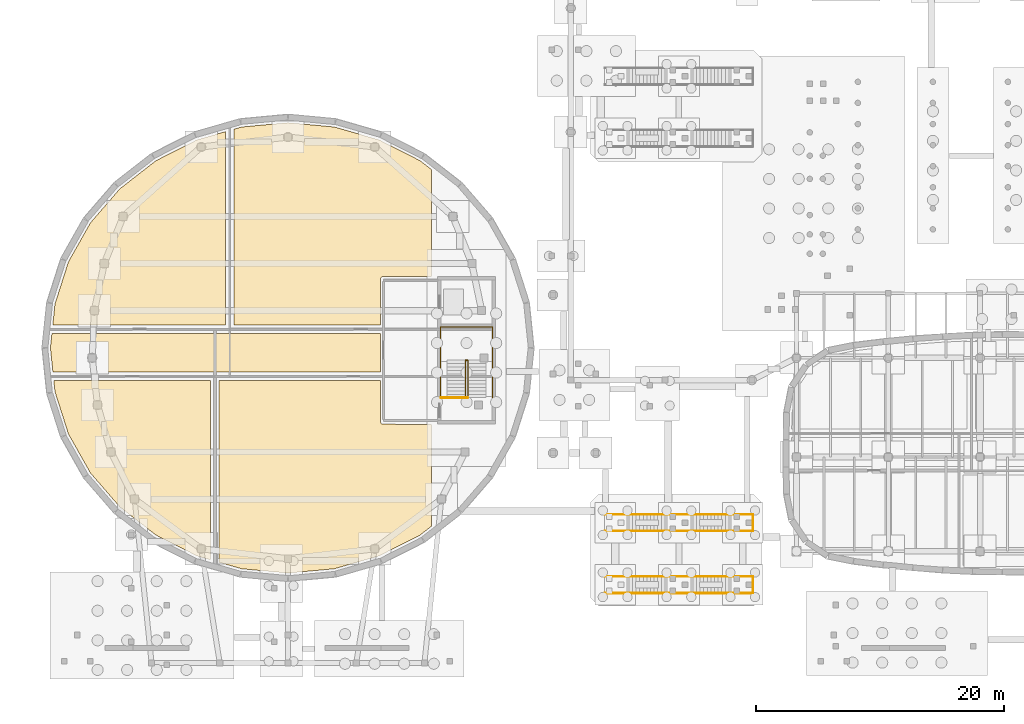
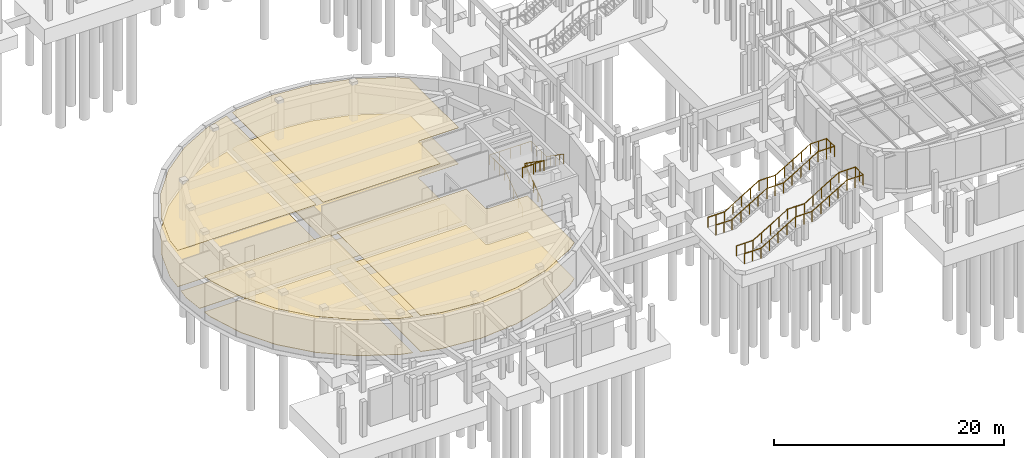
# One storey, part 41 of 45: 9 coverings, 9 railings.
"""IFC4 building model written with IfcOpenShell, lengths in metres."""

from ifc_helpers import new_model, si_unit, direction, frame, origin, origin_2d, place, context, subcontext, project, spatial, polyline, circle, outline, extrude, material, layer, layer_set, type_object, element, save


model = new_model("IFC4")

# Units and contexts
model_context = context("Model", 3, precision=1e-05, world=origin(), true_north=direction((0.0, 1.0)))
body_context = subcontext(model_context, "Body", "Model", "MODEL_VIEW")
ifc_project = project(units=[si_unit("LENGTHUNIT", "METRE"), si_unit("AREAUNIT", "SQUARE_METRE"), si_unit("VOLUMEUNIT", "CUBIC_METRE"), si_unit("PLANEANGLEUNIT", "RADIAN"), si_unit("MASSUNIT", "GRAM", prefix="KILO")], contexts=[model_context])

# Site, building, storey
site_placement = place(None, origin())
site = spatial("IfcSite", under=ifc_project, at=site_placement, CompositionType="ELEMENT")
building_placement = place(site_placement, origin())
building = spatial("IfcBuilding", under=site, at=building_placement, Name="Corveleigh Park Community Centre", CompositionType="ELEMENT")
storey_placement = place(building_placement, frame((0.0, 0.0, -4.199951171875)))
storey = spatial("IfcBuildingStorey", under=building, at=storey_placement, Name="B1", CompositionType="ELEMENT", Elevation=-4.199951171875)

# Coverings
ifc_material_1 = material(Name="Perforated acoustic suspended ceiling", Category="gypsum")
ifc_layer_1 = layer(ifc_material_1, 0.0400390625, Name="Perforated acoustic suspended ceiling", Category="gypsum")
ifc_layer_set_1 = layer_set([ifc_layer_1], Name="Perforated acoustic suspended ceiling")
covering_type_1 = type_object("IfcCoveringType", Name="COV-CLG-ACU", PredefinedType="CEILING", material=ifc_layer_set_1)
covering_1_placement = place(storey_placement, frame((0.0, 0.0, 3.8349609375)))
element("IfcCovering", 1, at=covering_1_placement, inside=storey, type_object=covering_type_1, Name="Music Recording Studio 1 acoustic ceiling", PredefinedType="CEILING", context=body_context, shape_type="SweptSolid", body=[
    extrude(outline(polyline([(15.06494140625, 17.52001953125), (13.297119140625, 20.658935546875), (12.2099609375, 24.06201171875), (12.116943359375, 24.9599609375), (24.760009765625, 24.9599609375), (24.760009765625, 10.510986328125), (23.660888671875, 10.826904296875), (20.347900390625, 12.508056640625), (17.445068359375, 14.76904296875), (15.06494140625, 17.52001953125)])), origin(), (0.0, 0.0, 1.0), 0.0400390625),
])
covering_2_placement = place(storey_placement, frame((0.0, 0.0, 3.8349609375)))
element("IfcCovering", 2, at=covering_2_placement, inside=storey, type_object=covering_type_1, Name="Ensemble Rehearsal Studio acoustic ceiling", PredefinedType="CEILING", context=body_context, shape_type="SweptSolid", body=[
    extrude(outline(polyline([(38.597900390625, 21.447998046875), (42.56005859375, 21.429931640625), (42.56005859375, 13.215087890625), (41.652099609375, 12.508056640625), (38.339111328125, 10.826904296875), (34.741943359375, 9.791015625), (31.0, 9.44189453125), (27.258056640625, 9.791015625), (25.43994140625, 10.31494140625), (25.43994140625, 24.9599609375), (38.449951171875, 24.9599609375), (38.449951171875, 21.669921875), (38.489990234375, 21.537109375), (38.597900390625, 21.447998046875)])), origin(), (0.0, 0.0, 1.0), 0.0400390625),
])
covering_3_placement = place(storey_placement, frame((0.0, 0.0, 3.8349609375)))
element("IfcCovering", 3, at=covering_3_placement, inside=storey, type_object=covering_type_1, Name="Community Makerspace Workshop acoustic ceiling", PredefinedType="CEILING", context=body_context, shape_type="SweptSolid", body=[
    extrude(outline(polyline([(17.445068359375, 40.430908203125), (20.347900390625, 42.69189453125), (23.660888671875, 44.373046875), (25.9599609375, 45.034912109375), (25.9599609375, 29.43994140625), (12.033935546875, 29.43994140625), (12.2099609375, 31.137939453125), (13.297119140625, 34.541015625), (15.06494140625, 37.679931640625), (17.445068359375, 40.430908203125)])), origin(), (0.0, 0.0, 1.0), 0.0400390625),
])
covering_4_placement = place(storey_placement, frame((0.0, 0.0, 3.8349609375)))
element("IfcCovering", 4, at=covering_4_placement, inside=storey, type_object=covering_type_1, Name="Digital Media Editing Classroom acoustic ceiling", PredefinedType="CEILING", context=body_context, shape_type="SweptSolid", body=[
    extrude(outline(polyline([(38.597900390625, 33.35205078125), (38.489990234375, 33.262939453125), (38.449951171875, 33.1298828125), (38.449951171875, 29.43994140625), (26.639892578125, 29.43994140625), (26.639892578125, 45.23095703125), (27.258056640625, 45.408935546875), (31.0, 45.758056640625), (34.741943359375, 45.408935546875), (38.339111328125, 44.373046875), (41.652099609375, 42.69189453125), (42.56005859375, 41.985107421875), (42.56005859375, 33.3701171875), (38.597900390625, 33.35205078125)])), origin(), (0.0, 0.0, 1.0), 0.0400390625),
])
ifc_material_2 = material(Name="Acoustic linoleum flooring", Category="wood")
ifc_layer_2 = layer(ifc_material_2, 0.02490234375, Name="Acoustic linoleum flooring", Category="wood")
ifc_layer_set_2 = layer_set([ifc_layer_2], Name="Acoustic linoleum flooring")
covering_type_2 = type_object("IfcCoveringType", Name="COV-FLR-LIN", PredefinedType="FLOORING", material=ifc_layer_set_2)
covering_5_placement = place(storey_placement, origin())
element("IfcCovering", 5, at=covering_5_placement, inside=storey, type_object=covering_type_2, Name="Basement Studio Corridor West flooring", PredefinedType="FLOORING", context=body_context, shape_type="SweptSolid", body=[
    extrude(outline(polyline([(38.449951171875, 28.760009765625), (38.449951171875, 25.639892578125), (12.0458984375, 25.639892578125), (11.842041015625, 27.60009765625), (11.962890625, 28.760009765625), (38.449951171875, 28.760009765625)])), origin(), (0.0, 0.0, 1.0), 0.02490234375),
])
covering_6_placement = place(storey_placement, origin())
element("IfcCovering", 6, at=covering_6_placement, inside=storey, type_object=covering_type_2, Name="Community Makerspace Workshop flooring", PredefinedType="FLOORING", context=body_context, shape_type="SweptSolid", body=[
    extrude(outline(polyline([(17.445068359375, 40.430908203125), (20.347900390625, 42.69189453125), (23.660888671875, 44.373046875), (25.9599609375, 45.034912109375), (25.9599609375, 29.43994140625), (12.033935546875, 29.43994140625), (12.2099609375, 31.137939453125), (13.297119140625, 34.541015625), (15.06494140625, 37.679931640625), (17.445068359375, 40.430908203125)])), origin(), (0.0, 0.0, 1.0), 0.02490234375),
])
covering_7_placement = place(storey_placement, origin())
element("IfcCovering", 7, at=covering_7_placement, inside=storey, type_object=covering_type_2, Name="Digital Media Editing Classroom flooring", PredefinedType="FLOORING", context=body_context, shape_type="SweptSolid", body=[
    extrude(outline(polyline([(38.597900390625, 33.35205078125), (38.489990234375, 33.262939453125), (38.449951171875, 33.1298828125), (38.449951171875, 29.43994140625), (26.639892578125, 29.43994140625), (26.639892578125, 45.23095703125), (27.258056640625, 45.408935546875), (31.0, 45.758056640625), (34.741943359375, 45.408935546875), (38.339111328125, 44.373046875), (41.652099609375, 42.69189453125), (42.56005859375, 41.985107421875), (42.56005859375, 33.3701171875), (38.597900390625, 33.35205078125)])), origin(), (0.0, 0.0, 1.0), 0.02490234375),
])
ifc_material_3 = material(Name="Sprung hardwood sports flooring", Category="wood")
ifc_layer_3 = layer(ifc_material_3, 0.044921875, Name="Sprung hardwood sports flooring", Category="wood")
ifc_layer_set_3 = layer_set([ifc_layer_3], Name="Sprung hardwood sports flooring")
covering_type_3 = type_object("IfcCoveringType", Name="COV-FLR-SPR", PredefinedType="FLOORING", material=ifc_layer_set_3)
covering_8_placement = place(storey_placement, origin())
element("IfcCovering", 8, at=covering_8_placement, inside=storey, type_object=covering_type_3, Name="Music Recording Studio 1 flooring", PredefinedType="FLOORING", context=body_context, shape_type="SweptSolid", body=[
    extrude(outline(polyline([(15.06494140625, 17.52001953125), (13.297119140625, 20.658935546875), (12.2099609375, 24.06201171875), (12.116943359375, 24.9599609375), (24.760009765625, 24.9599609375), (24.760009765625, 10.510986328125), (23.660888671875, 10.826904296875), (20.347900390625, 12.508056640625), (17.445068359375, 14.76904296875), (15.06494140625, 17.52001953125)])), origin(), (0.0, 0.0, 1.0), 0.044921875),
])
covering_9_placement = place(storey_placement, origin())
element("IfcCovering", 9, at=covering_9_placement, inside=storey, type_object=covering_type_3, Name="Ensemble Rehearsal Studio flooring", PredefinedType="FLOORING", context=body_context, shape_type="SweptSolid", body=[
    extrude(outline(polyline([(38.597900390625, 21.447998046875), (42.56005859375, 21.429931640625), (42.56005859375, 13.215087890625), (41.652099609375, 12.508056640625), (38.339111328125, 10.826904296875), (34.741943359375, 9.791015625), (31.0, 9.44189453125), (27.258056640625, 9.791015625), (25.43994140625, 10.31494140625), (25.43994140625, 24.9599609375), (38.449951171875, 24.9599609375), (38.449951171875, 21.669921875), (38.489990234375, 21.537109375), (38.597900390625, 21.447998046875)])), origin(), (0.0, 0.0, 1.0), 0.044921875),
])

# Railings
ifc_material_4 = material(Name="Stainless steel 316 balustrade", Category="steel")
railing_type_1 = type_object("IfcRailingType", Name="RLG-BAL-EXT-1100", PredefinedType="BALUSTRADE", material=ifc_material_4)
railing_1_placement = place(storey_placement, frame((56.550048828125, 9.179931640625, 0.0)))
element("IfcRailing", 10, at=railing_1_placement, inside=storey, type_object=railing_type_1, Name="Promenade ST7 guard L", PredefinedType="BALUSTRADE", context=body_context, shape_type="SweptSolid", body=[
    extrude(circle(Radius=0.02392578125, at=origin_2d()), frame((0.0, 0.0, 1.076171875), z_axis=(1.0, 0.0, 0.0), x_axis=(0.0, 1.0, 0.0)), (0.0, 0.0, 1.0), 1.64990234375),
    extrude(circle(Radius=0.02392578125, at=origin_2d()), frame((1.64990234375, 0.0, 1.076171875), z_axis=(0.856202320911, 0.0, 0.516640673647), x_axis=(0.0, 1.0, 0.0)), (0.0, 0.0, 1.0), 4.064453125),
    extrude(circle(Radius=0.02392578125, at=origin_2d()), frame((5.1298828125, 0.0, 3.17578125), z_axis=(1.0, 0.0, 0.0), x_axis=(0.0, 1.0, 0.0)), (0.0, 0.0, 1.0), 1.68017578125),
    extrude(circle(Radius=0.02392578125, at=origin_2d()), frame((6.81005859375, 0.0, 3.17578125), z_axis=(0.856175749803, 0.0, 0.516684706034), x_axis=(0.0, 1.0, 0.0)), (0.0, 0.0, 1.0), 4.064453125),
    extrude(circle(Radius=0.02392578125, at=origin_2d()), frame((10.2900390625, 0.0, 5.27587890625), z_axis=(1.0, 0.0, 0.0), x_axis=(0.0, 1.0, 0.0)), (0.0, 0.0, 1.0), 1.64990234375),
    extrude(circle(Radius=0.02099609375, at=origin_2d()), origin(), (0.0, 0.0, 1.0), 1.052001953125),
    extrude(circle(Radius=0.02099609375, at=origin_2d()), frame((0.824951171875, 0.0, 0.0)), (0.0, 0.0, 1.0), 1.052001953125),
    extrude(circle(Radius=0.02099609375, at=origin_2d()), frame((1.64990234375, 0.0, 0.0)), (0.0, 0.0, 1.0), 1.052001953125),
    extrude(circle(Radius=0.02099609375, at=origin_2d()), frame((2.52001953125, 0.0, 0.52490234375)), (0.0, 0.0, 1.0), 1.052001953125),
    extrude(circle(Radius=0.02099609375, at=origin_2d()), frame((3.389892578125, 0.0, 1.0498046875)), (0.0, 0.0, 1.0), 1.052001953125),
    extrude(circle(Radius=0.02099609375, at=origin_2d()), frame((4.259765625, 0.0, 1.574951171875)), (0.0, 0.0, 1.0), 1.052001953125),
    extrude(circle(Radius=0.02099609375, at=origin_2d()), frame((5.1298828125, 0.0, 2.099853515625)), (0.0, 0.0, 1.0), 1.052001953125),
    extrude(circle(Radius=0.02099609375, at=origin_2d()), frame((5.969970703125, 0.0, 2.099853515625)), (0.0, 0.0, 1.0), 1.052001953125),
    extrude(circle(Radius=0.02099609375, at=origin_2d()), frame((6.81005859375, 0.0, 2.099853515625)), (0.0, 0.0, 1.0), 1.052001953125),
    extrude(circle(Radius=0.02099609375, at=origin_2d()), frame((7.68017578125, 0.0, 2.625)), (0.0, 0.0, 1.0), 1.052001953125),
    extrude(circle(Radius=0.02099609375, at=origin_2d()), frame((8.550048828125, 0.0, 3.14990234375)), (0.0, 0.0, 1.0), 1.052001953125),
    extrude(circle(Radius=0.02099609375, at=origin_2d()), frame((9.419921875, 0.0, 3.6748046875)), (0.0, 0.0, 1.0), 1.052001953125),
    extrude(circle(Radius=0.02099609375, at=origin_2d()), frame((10.2900390625, 0.0, 4.199951171875)), (0.0, 0.0, 1.0), 1.052001953125),
    extrude(circle(Radius=0.02099609375, at=origin_2d()), frame((11.114990234375, 0.0, 4.199951171875)), (0.0, 0.0, 1.0), 1.052001953125),
    extrude(circle(Radius=0.02099609375, at=origin_2d()), frame((11.93994140625, 0.0, 4.199951171875)), (0.0, 0.0, 1.0), 1.052001953125),
])
railing_2_placement = place(storey_placement, frame((56.550048828125, 7.820068359375, 0.0)))
element("IfcRailing", 11, at=railing_2_placement, inside=storey, type_object=railing_type_1, Name="Promenade ST7 guard R", PredefinedType="BALUSTRADE", context=body_context, shape_type="SweptSolid", body=[
    extrude(circle(Radius=0.02392578125, at=origin_2d()), frame((0.0, 0.0, 1.076171875), z_axis=(1.0, 0.0, 0.0), x_axis=(0.0, 1.0, 0.0)), (0.0, 0.0, 1.0), 1.64990234375),
    extrude(circle(Radius=0.02392578125, at=origin_2d()), frame((1.64990234375, 0.0, 1.076171875), z_axis=(0.856202320911, 0.0, 0.516640673647), x_axis=(0.0, 1.0, 0.0)), (0.0, 0.0, 1.0), 4.064453125),
    extrude(circle(Radius=0.02392578125, at=origin_2d()), frame((5.1298828125, 0.0, 3.17578125), z_axis=(1.0, 0.0, 0.0), x_axis=(0.0, 1.0, 0.0)), (0.0, 0.0, 1.0), 1.68017578125),
    extrude(circle(Radius=0.02392578125, at=origin_2d()), frame((6.81005859375, 0.0, 3.17578125), z_axis=(0.856175749803, 0.0, 0.516684706034), x_axis=(0.0, 1.0, 0.0)), (0.0, 0.0, 1.0), 4.064453125),
    extrude(circle(Radius=0.02392578125, at=origin_2d()), frame((10.2900390625, 0.0, 5.27587890625), z_axis=(1.0, 0.0, 0.0), x_axis=(0.0, 1.0, 0.0)), (0.0, 0.0, 1.0), 1.64990234375),
    extrude(circle(Radius=0.02099609375, at=origin_2d()), origin(), (0.0, 0.0, 1.0), 1.052001953125),
    extrude(circle(Radius=0.02099609375, at=origin_2d()), frame((0.824951171875, 0.0, 0.0)), (0.0, 0.0, 1.0), 1.052001953125),
    extrude(circle(Radius=0.02099609375, at=origin_2d()), frame((1.64990234375, 0.0, 0.0)), (0.0, 0.0, 1.0), 1.052001953125),
    extrude(circle(Radius=0.02099609375, at=origin_2d()), frame((2.52001953125, 0.0, 0.52490234375)), (0.0, 0.0, 1.0), 1.052001953125),
    extrude(circle(Radius=0.02099609375, at=origin_2d()), frame((3.389892578125, 0.0, 1.0498046875)), (0.0, 0.0, 1.0), 1.052001953125),
    extrude(circle(Radius=0.02099609375, at=origin_2d()), frame((4.259765625, 0.0, 1.574951171875)), (0.0, 0.0, 1.0), 1.052001953125),
    extrude(circle(Radius=0.02099609375, at=origin_2d()), frame((5.1298828125, 0.0, 2.099853515625)), (0.0, 0.0, 1.0), 1.052001953125),
    extrude(circle(Radius=0.02099609375, at=origin_2d()), frame((5.969970703125, 0.0, 2.099853515625)), (0.0, 0.0, 1.0), 1.052001953125),
    extrude(circle(Radius=0.02099609375, at=origin_2d()), frame((6.81005859375, 0.0, 2.099853515625)), (0.0, 0.0, 1.0), 1.052001953125),
    extrude(circle(Radius=0.02099609375, at=origin_2d()), frame((7.68017578125, 0.0, 2.625)), (0.0, 0.0, 1.0), 1.052001953125),
    extrude(circle(Radius=0.02099609375, at=origin_2d()), frame((8.550048828125, 0.0, 3.14990234375)), (0.0, 0.0, 1.0), 1.052001953125),
    extrude(circle(Radius=0.02099609375, at=origin_2d()), frame((9.419921875, 0.0, 3.6748046875)), (0.0, 0.0, 1.0), 1.052001953125),
    extrude(circle(Radius=0.02099609375, at=origin_2d()), frame((10.2900390625, 0.0, 4.199951171875)), (0.0, 0.0, 1.0), 1.052001953125),
    extrude(circle(Radius=0.02099609375, at=origin_2d()), frame((11.114990234375, 0.0, 4.199951171875)), (0.0, 0.0, 1.0), 1.052001953125),
    extrude(circle(Radius=0.02099609375, at=origin_2d()), frame((11.93994140625, 0.0, 4.199951171875)), (0.0, 0.0, 1.0), 1.052001953125),
])
railing_3_placement = place(storey_placement, frame((68.489990234375, 7.830078125, 4.199951171875)))
element("IfcRailing", 12, at=railing_3_placement, inside=storey, type_object=railing_type_1, Name="Promenade ST7 top guard", PredefinedType="BALUSTRADE", context=body_context, shape_type="SweptSolid", body=[
    extrude(circle(Radius=0.02392578125, at=origin_2d()), frame((0.0, 0.0, 1.076171875), z_axis=(0.0, 1.0, 0.0), x_axis=(-1.0, 0.0, 0.0)), (0.0, 0.0, 1.0), 1.33984375),
    extrude(circle(Radius=0.02099609375, at=origin_2d()), origin(), (0.0, 0.0, 1.0), 1.052001953125),
    extrude(circle(Radius=0.02099609375, at=origin_2d()), frame((0.0, 0.669921875, 0.0)), (0.0, 0.0, 1.0), 1.052001953125),
    extrude(circle(Radius=0.02099609375, at=origin_2d()), frame((0.0, 1.33984375, 0.0)), (0.0, 0.0, 1.0), 1.052001953125),
])
railing_4_placement = place(storey_placement, frame((56.550048828125, 14.179931640625, 0.0)))
element("IfcRailing", 13, at=railing_4_placement, inside=storey, type_object=railing_type_1, Name="Promenade ST8 guard L", PredefinedType="BALUSTRADE", context=body_context, shape_type="SweptSolid", body=[
    extrude(circle(Radius=0.02392578125, at=origin_2d()), frame((0.0, 0.0, 1.076171875), z_axis=(1.0, 0.0, 0.0), x_axis=(0.0, 1.0, 0.0)), (0.0, 0.0, 1.0), 1.64990234375),
    extrude(circle(Radius=0.02392578125, at=origin_2d()), frame((1.64990234375, 0.0, 1.076171875), z_axis=(0.856202320911, 0.0, 0.516640673647), x_axis=(0.0, 1.0, 0.0)), (0.0, 0.0, 1.0), 4.064453125),
    extrude(circle(Radius=0.02392578125, at=origin_2d()), frame((5.1298828125, 0.0, 3.17578125), z_axis=(1.0, 0.0, 0.0), x_axis=(0.0, 1.0, 0.0)), (0.0, 0.0, 1.0), 1.68017578125),
    extrude(circle(Radius=0.02392578125, at=origin_2d()), frame((6.81005859375, 0.0, 3.17578125), z_axis=(0.856175749803, 0.0, 0.516684706034), x_axis=(0.0, 1.0, 0.0)), (0.0, 0.0, 1.0), 4.064453125),
    extrude(circle(Radius=0.02392578125, at=origin_2d()), frame((10.2900390625, 0.0, 5.27587890625), z_axis=(1.0, 0.0, 0.0), x_axis=(0.0, 1.0, 0.0)), (0.0, 0.0, 1.0), 1.64990234375),
    extrude(circle(Radius=0.02099609375, at=origin_2d()), origin(), (0.0, 0.0, 1.0), 1.052001953125),
    extrude(circle(Radius=0.02099609375, at=origin_2d()), frame((0.824951171875, 0.0, 0.0)), (0.0, 0.0, 1.0), 1.052001953125),
    extrude(circle(Radius=0.02099609375, at=origin_2d()), frame((1.64990234375, 0.0, 0.0)), (0.0, 0.0, 1.0), 1.052001953125),
    extrude(circle(Radius=0.02099609375, at=origin_2d()), frame((2.52001953125, 0.0, 0.52490234375)), (0.0, 0.0, 1.0), 1.052001953125),
    extrude(circle(Radius=0.02099609375, at=origin_2d()), frame((3.389892578125, 0.0, 1.0498046875)), (0.0, 0.0, 1.0), 1.052001953125),
    extrude(circle(Radius=0.02099609375, at=origin_2d()), frame((4.259765625, 0.0, 1.574951171875)), (0.0, 0.0, 1.0), 1.052001953125),
    extrude(circle(Radius=0.02099609375, at=origin_2d()), frame((5.1298828125, 0.0, 2.099853515625)), (0.0, 0.0, 1.0), 1.052001953125),
    extrude(circle(Radius=0.02099609375, at=origin_2d()), frame((5.969970703125, 0.0, 2.099853515625)), (0.0, 0.0, 1.0), 1.052001953125),
    extrude(circle(Radius=0.02099609375, at=origin_2d()), frame((6.81005859375, 0.0, 2.099853515625)), (0.0, 0.0, 1.0), 1.052001953125),
    extrude(circle(Radius=0.02099609375, at=origin_2d()), frame((7.68017578125, 0.0, 2.625)), (0.0, 0.0, 1.0), 1.052001953125),
    extrude(circle(Radius=0.02099609375, at=origin_2d()), frame((8.550048828125, 0.0, 3.14990234375)), (0.0, 0.0, 1.0), 1.052001953125),
    extrude(circle(Radius=0.02099609375, at=origin_2d()), frame((9.419921875, 0.0, 3.6748046875)), (0.0, 0.0, 1.0), 1.052001953125),
    extrude(circle(Radius=0.02099609375, at=origin_2d()), frame((10.2900390625, 0.0, 4.199951171875)), (0.0, 0.0, 1.0), 1.052001953125),
    extrude(circle(Radius=0.02099609375, at=origin_2d()), frame((11.114990234375, 0.0, 4.199951171875)), (0.0, 0.0, 1.0), 1.052001953125),
    extrude(circle(Radius=0.02099609375, at=origin_2d()), frame((11.93994140625, 0.0, 4.199951171875)), (0.0, 0.0, 1.0), 1.052001953125),
])
railing_5_placement = place(storey_placement, frame((56.550048828125, 12.820068359375, 0.0)))
element("IfcRailing", 14, at=railing_5_placement, inside=storey, type_object=railing_type_1, Name="Promenade ST8 guard R", PredefinedType="BALUSTRADE", context=body_context, shape_type="SweptSolid", body=[
    extrude(circle(Radius=0.02392578125, at=origin_2d()), frame((0.0, 0.0, 1.076171875), z_axis=(1.0, 0.0, 0.0), x_axis=(0.0, 1.0, 0.0)), (0.0, 0.0, 1.0), 1.64990234375),
    extrude(circle(Radius=0.02392578125, at=origin_2d()), frame((1.64990234375, 0.0, 1.076171875), z_axis=(0.856202320911, 0.0, 0.516640673647), x_axis=(0.0, 1.0, 0.0)), (0.0, 0.0, 1.0), 4.064453125),
    extrude(circle(Radius=0.02392578125, at=origin_2d()), frame((5.1298828125, 0.0, 3.17578125), z_axis=(1.0, 0.0, 0.0), x_axis=(0.0, 1.0, 0.0)), (0.0, 0.0, 1.0), 1.68017578125),
    extrude(circle(Radius=0.02392578125, at=origin_2d()), frame((6.81005859375, 0.0, 3.17578125), z_axis=(0.856175749803, 0.0, 0.516684706034), x_axis=(0.0, 1.0, 0.0)), (0.0, 0.0, 1.0), 4.064453125),
    extrude(circle(Radius=0.02392578125, at=origin_2d()), frame((10.2900390625, 0.0, 5.27587890625), z_axis=(1.0, 0.0, 0.0), x_axis=(0.0, 1.0, 0.0)), (0.0, 0.0, 1.0), 1.64990234375),
    extrude(circle(Radius=0.02099609375, at=origin_2d()), origin(), (0.0, 0.0, 1.0), 1.052001953125),
    extrude(circle(Radius=0.02099609375, at=origin_2d()), frame((0.824951171875, 0.0, 0.0)), (0.0, 0.0, 1.0), 1.052001953125),
    extrude(circle(Radius=0.02099609375, at=origin_2d()), frame((1.64990234375, 0.0, 0.0)), (0.0, 0.0, 1.0), 1.052001953125),
    extrude(circle(Radius=0.02099609375, at=origin_2d()), frame((2.52001953125, 0.0, 0.52490234375)), (0.0, 0.0, 1.0), 1.052001953125),
    extrude(circle(Radius=0.02099609375, at=origin_2d()), frame((3.389892578125, 0.0, 1.0498046875)), (0.0, 0.0, 1.0), 1.052001953125),
    extrude(circle(Radius=0.02099609375, at=origin_2d()), frame((4.259765625, 0.0, 1.574951171875)), (0.0, 0.0, 1.0), 1.052001953125),
    extrude(circle(Radius=0.02099609375, at=origin_2d()), frame((5.1298828125, 0.0, 2.099853515625)), (0.0, 0.0, 1.0), 1.052001953125),
    extrude(circle(Radius=0.02099609375, at=origin_2d()), frame((5.969970703125, 0.0, 2.099853515625)), (0.0, 0.0, 1.0), 1.052001953125),
    extrude(circle(Radius=0.02099609375, at=origin_2d()), frame((6.81005859375, 0.0, 2.099853515625)), (0.0, 0.0, 1.0), 1.052001953125),
    extrude(circle(Radius=0.02099609375, at=origin_2d()), frame((7.68017578125, 0.0, 2.625)), (0.0, 0.0, 1.0), 1.052001953125),
    extrude(circle(Radius=0.02099609375, at=origin_2d()), frame((8.550048828125, 0.0, 3.14990234375)), (0.0, 0.0, 1.0), 1.052001953125),
    extrude(circle(Radius=0.02099609375, at=origin_2d()), frame((9.419921875, 0.0, 3.6748046875)), (0.0, 0.0, 1.0), 1.052001953125),
    extrude(circle(Radius=0.02099609375, at=origin_2d()), frame((10.2900390625, 0.0, 4.199951171875)), (0.0, 0.0, 1.0), 1.052001953125),
    extrude(circle(Radius=0.02099609375, at=origin_2d()), frame((11.114990234375, 0.0, 4.199951171875)), (0.0, 0.0, 1.0), 1.052001953125),
    extrude(circle(Radius=0.02099609375, at=origin_2d()), frame((11.93994140625, 0.0, 4.199951171875)), (0.0, 0.0, 1.0), 1.052001953125),
])
railing_6_placement = place(storey_placement, frame((68.489990234375, 12.830078125, 4.199951171875)))
element("IfcRailing", 15, at=railing_6_placement, inside=storey, type_object=railing_type_1, Name="Promenade ST8 top guard", PredefinedType="BALUSTRADE", context=body_context, shape_type="SweptSolid", body=[
    extrude(circle(Radius=0.02392578125, at=origin_2d()), frame((0.0, 0.0, 1.076171875), z_axis=(0.0, 1.0, 0.0), x_axis=(-1.0, 0.0, 0.0)), (0.0, 0.0, 1.0), 1.33984375),
    extrude(circle(Radius=0.02099609375, at=origin_2d()), origin(), (0.0, 0.0, 1.0), 1.052001953125),
    extrude(circle(Radius=0.02099609375, at=origin_2d()), frame((0.0, 0.669921875, 0.0)), (0.0, 0.0, 1.0), 1.052001953125),
    extrude(circle(Radius=0.02099609375, at=origin_2d()), frame((0.0, 1.33984375, 0.0)), (0.0, 0.0, 1.0), 1.052001953125),
])
railing_type_2 = type_object("IfcRailingType", Name="RLG-BAL-INT-1100", PredefinedType="BALUSTRADE", material=ifc_material_4)
railing_7_placement = place(storey_placement, frame((45.300048828125, 23.580078125, 0.0)))
element("IfcRailing", 16, at=railing_7_placement, inside=storey, type_object=railing_type_2, Name="Stair ST5 inner guard B1", PredefinedType="BALUSTRADE", context=body_context, shape_type="SweptSolid", body=[
    extrude(circle(Radius=0.02392578125, at=origin_2d()), frame((0.0, 0.0, 1.076171875), z_axis=(0.0, 0.821468317647, 0.570254156585), x_axis=(-1.0, 0.0, 0.0)), (0.0, 0.0, 1.0), 3.682373046875),
    extrude(circle(Radius=0.02392578125, at=origin_2d()), frame((0.0, 3.02490234375, 3.17578125), z_axis=(1.0, 0.0, 0.0), x_axis=(0.0, 1.0, 0.0)), (0.0, 0.0, 1.0), 0.199951171875),
    extrude(circle(Radius=0.02392578125, at=origin_2d()), frame((0.199951171875, 3.02490234375, 3.17578125), z_axis=(0.0, -0.821437259224, 0.57029889458), x_axis=(1.0, 0.0, 0.0)), (0.0, 0.0, 1.0), 3.682373046875),
    extrude(circle(Radius=0.02099609375, at=origin_2d()), origin(), (0.0, 0.0, 1.0), 1.052001953125),
    extrude(circle(Radius=0.02099609375, at=origin_2d()), frame((0.0, 0.75634765625, 0.52490234375)), (0.0, 0.0, 1.0), 1.052001953125),
    extrude(circle(Radius=0.02099609375, at=origin_2d()), frame((0.0, 1.512451171875, 1.0498046875)), (0.0, 0.0, 1.0), 1.052001953125),
    extrude(circle(Radius=0.02099609375, at=origin_2d()), frame((0.0, 2.2685546875, 1.574951171875)), (0.0, 0.0, 1.0), 1.052001953125),
    extrude(circle(Radius=0.02099609375, at=origin_2d()), frame((0.0, 3.02490234375, 2.099853515625)), (0.0, 0.0, 1.0), 1.052001953125),
    extrude(circle(Radius=0.02099609375, at=origin_2d()), frame((0.199951171875, 3.02490234375, 2.099853515625)), (0.0, 0.0, 1.0), 1.052001953125),
    extrude(circle(Radius=0.02099609375, at=origin_2d()), frame((0.199951171875, 2.2685546875, 2.625)), (0.0, 0.0, 1.0), 1.052001953125),
    extrude(circle(Radius=0.02099609375, at=origin_2d()), frame((0.199951171875, 1.512451171875, 3.14990234375)), (0.0, 0.0, 1.0), 1.052001953125),
    extrude(circle(Radius=0.02099609375, at=origin_2d()), frame((0.199951171875, 0.75634765625, 3.6748046875)), (0.0, 0.0, 1.0), 1.052001953125),
    extrude(circle(Radius=0.02099609375, at=origin_2d()), frame((0.199951171875, 0.0, 4.199951171875)), (0.0, 0.0, 1.0), 1.052001953125),
])
railing_8_placement = place(storey_placement, frame((43.330078125, 23.580078125, 4.199951171875)))
element("IfcRailing", 17, at=railing_8_placement, inside=storey, type_object=railing_type_2, Name="Stair ST5 landing guard B1", PredefinedType="BALUSTRADE", context=body_context, shape_type="SweptSolid", body=[
    extrude(circle(Radius=0.02392578125, at=origin_2d()), frame((0.0, 0.0, 1.076171875), z_axis=(1.0, 0.0, 0.0), x_axis=(0.0, 1.0, 0.0)), (0.0, 0.0, 1.0), 2.169921875),
    extrude(circle(Radius=0.02099609375, at=origin_2d()), origin(), (0.0, 0.0, 1.0), 1.052001953125),
    extrude(circle(Radius=0.02099609375, at=origin_2d()), frame((1.0849609375, 0.0, 0.0)), (0.0, 0.0, 1.0), 1.052001953125),
    extrude(circle(Radius=0.02099609375, at=origin_2d()), frame((2.169921875, 0.0, 0.0)), (0.0, 0.0, 1.0), 1.052001953125),
])
railing_9_placement = place(storey_placement, frame((43.31005859375, 23.580078125, 0.0)))
element("IfcRailing", 18, at=railing_9_placement, inside=storey, type_object=railing_type_2, Name="Stair ST5 perimeter guard B1", PredefinedType="BALUSTRADE", context=body_context, shape_type="SweptSolid", body=[
    extrude(circle(Radius=0.02392578125, at=origin_2d()), frame((0.0, 0.0, 1.076171875), z_axis=(0.0, 0.821468317647, 0.570254156585), x_axis=(-1.0, 0.0, 0.0)), (0.0, 0.0, 1.0), 3.682373046875),
    extrude(circle(Radius=0.02392578125, at=origin_2d()), frame((0.0, 3.02490234375, 3.17578125), z_axis=(0.0, 1.0, 0.0), x_axis=(-1.0, 0.0, 0.0)), (0.0, 0.0, 1.0), 2.68798828125),
    extrude(circle(Radius=0.02392578125, at=origin_2d()), frame((0.0, 5.712890625, 3.17578125), z_axis=(1.0, 0.0, 0.0), x_axis=(0.0, 1.0, 0.0)), (0.0, 0.0, 1.0), 4.180908203125),
    extrude(circle(Radius=0.02392578125, at=origin_2d()), frame((4.180908203125, 5.712890625, 3.17578125), z_axis=(0.0, -1.0, 0.0), x_axis=(1.0, 0.0, 0.0)), (0.0, 0.0, 1.0), 2.68798828125),
    extrude(circle(Radius=0.02392578125, at=origin_2d()), frame((4.180908203125, 3.02490234375, 3.17578125), z_axis=(0.0, -0.821437259224, 0.57029889458), x_axis=(1.0, 0.0, 0.0)), (0.0, 0.0, 1.0), 3.682373046875),
    extrude(circle(Radius=0.02099609375, at=origin_2d()), origin(), (0.0, 0.0, 1.0), 1.052001953125),
    extrude(circle(Radius=0.02099609375, at=origin_2d()), frame((0.0, 0.75634765625, 0.52490234375)), (0.0, 0.0, 1.0), 1.052001953125),
    extrude(circle(Radius=0.02099609375, at=origin_2d()), frame((0.0, 1.512451171875, 1.0498046875)), (0.0, 0.0, 1.0), 1.052001953125),
    extrude(circle(Radius=0.02099609375, at=origin_2d()), frame((0.0, 2.2685546875, 1.574951171875)), (0.0, 0.0, 1.0), 1.052001953125),
    extrude(circle(Radius=0.02099609375, at=origin_2d()), frame((0.0, 3.02490234375, 2.099853515625)), (0.0, 0.0, 1.0), 1.052001953125),
    extrude(circle(Radius=0.02099609375, at=origin_2d()), frame((0.0, 3.9208984375, 2.099853515625)), (0.0, 0.0, 1.0), 1.052001953125),
    extrude(circle(Radius=0.02099609375, at=origin_2d()), frame((0.0, 4.81689453125, 2.099853515625)), (0.0, 0.0, 1.0), 1.052001953125),
    extrude(circle(Radius=0.02099609375, at=origin_2d()), frame((0.0, 5.712890625, 2.099853515625)), (0.0, 0.0, 1.0), 1.052001953125),
    extrude(circle(Radius=0.02099609375, at=origin_2d()), frame((1.045166015625, 5.712890625, 2.099853515625)), (0.0, 0.0, 1.0), 1.052001953125),
    extrude(circle(Radius=0.02099609375, at=origin_2d()), frame((2.09033203125, 5.712890625, 2.099853515625)), (0.0, 0.0, 1.0), 1.052001953125),
    extrude(circle(Radius=0.02099609375, at=origin_2d()), frame((3.1357421875, 5.712890625, 2.099853515625)), (0.0, 0.0, 1.0), 1.052001953125),
    extrude(circle(Radius=0.02099609375, at=origin_2d()), frame((4.180908203125, 5.712890625, 2.099853515625)), (0.0, 0.0, 1.0), 1.052001953125),
    extrude(circle(Radius=0.02099609375, at=origin_2d()), frame((4.180908203125, 4.81689453125, 2.099853515625)), (0.0, 0.0, 1.0), 1.052001953125),
    extrude(circle(Radius=0.02099609375, at=origin_2d()), frame((4.180908203125, 3.9208984375, 2.099853515625)), (0.0, 0.0, 1.0), 1.052001953125),
    extrude(circle(Radius=0.02099609375, at=origin_2d()), frame((4.180908203125, 3.02490234375, 2.099853515625)), (0.0, 0.0, 1.0), 1.052001953125),
    extrude(circle(Radius=0.02099609375, at=origin_2d()), frame((4.180908203125, 2.2685546875, 2.625)), (0.0, 0.0, 1.0), 1.052001953125),
    extrude(circle(Radius=0.02099609375, at=origin_2d()), frame((4.180908203125, 1.512451171875, 3.14990234375)), (0.0, 0.0, 1.0), 1.052001953125),
    extrude(circle(Radius=0.02099609375, at=origin_2d()), frame((4.180908203125, 0.75634765625, 3.6748046875)), (0.0, 0.0, 1.0), 1.052001953125),
    extrude(circle(Radius=0.02099609375, at=origin_2d()), frame((4.180908203125, 0.0, 4.199951171875)), (0.0, 0.0, 1.0), 1.052001953125),
])

save(model, "model.ifc")
